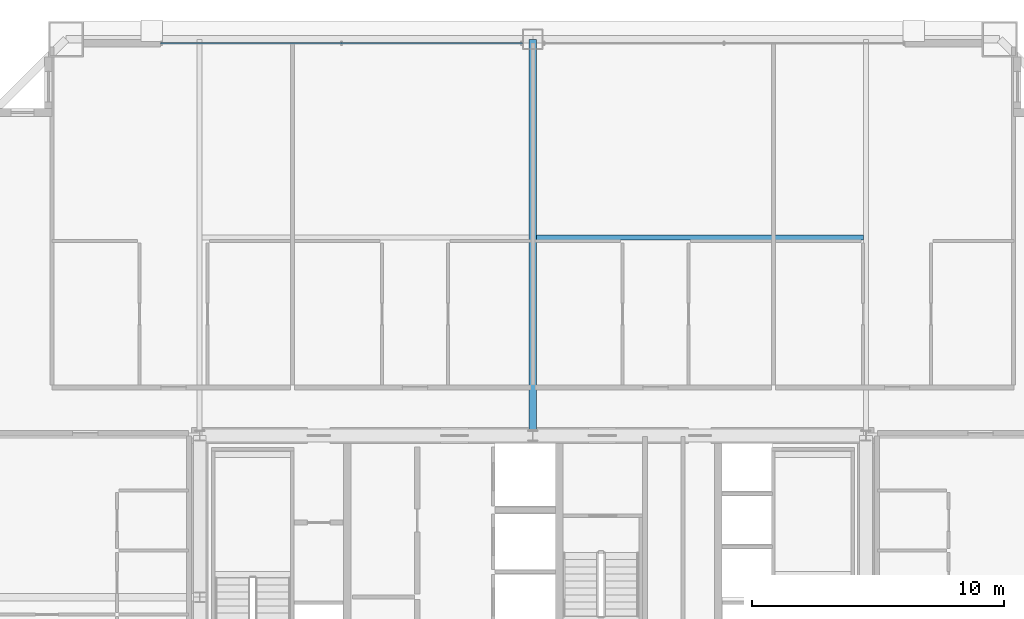
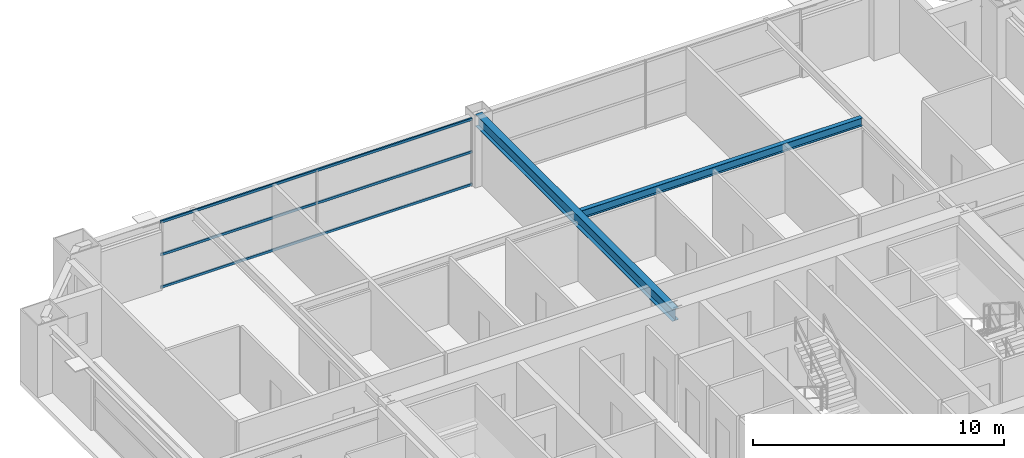
# One storey, part 28 of 38: 3 members, 2 beams, 1 element without a shape of its own.
"""IFC4 building model written with IfcOpenShell, lengths in metres."""

from ifc_helpers import new_model, si_unit, direction, frame, origin, origin_2d, place, context, subcontext, project, spatial, hollow_rectangle, i_section, extrude, source, transform, mapped, material, layer, layer_set, material_profile, profile_set, type_object, element, aggregate, save


model = new_model("IFC4")

# Units and contexts
model_context = context("Model", 3, precision=1e-05, world=origin(), true_north=direction((0.0, 1.0)))
body_context = subcontext(model_context, "Body", "Model", "MODEL_VIEW")
ifc_project = project(units=[si_unit("LENGTHUNIT", "METRE"), si_unit("AREAUNIT", "SQUARE_METRE"), si_unit("VOLUMEUNIT", "CUBIC_METRE"), si_unit("PLANEANGLEUNIT", "RADIAN"), si_unit("MASSUNIT", "GRAM", prefix="KILO"), si_unit("THERMODYNAMICTEMPERATUREUNIT", "KELVIN"), si_unit("POWERUNIT", "WATT")], contexts=[model_context])

# Site, building, storey
site_placement = place(None, origin())
site = spatial("IfcSite", under=ifc_project, at=site_placement, CompositionType="ELEMENT")
building_placement = place(site_placement, origin())
building = spatial("IfcBuilding", under=site, at=building_placement, Name="Yuzanri Waterfront Tower", CompositionType="ELEMENT")
storey_placement = place(building_placement, frame((0.0, 0.0, 188.0)))
storey = spatial("IfcBuildingStorey", under=building, at=storey_placement, Name="L49", CompositionType="ELEMENT", Elevation=188.0)

# Beams
ifc_material_1 = material(Name="Steel Q355B", Category="steel")
ifc_material_profile_1 = material_profile(ifc_material_1, i_section(OverallWidth=0.199951171875, OverallDepth=0.39990234375, WebThickness=0.008056640625, FlangeThickness=0.012939453125, at=origin_2d()), Name="HN 400x200x8x13")
ifc_profile_set_1 = profile_set([ifc_material_profile_1], Name="Steel Q355B")
beam_type_1 = type_object("IfcBeamType", Name="Floor Joist Q355B HN 400x200", PredefinedType="JOIST", material=ifc_profile_set_1)
shared_shape_1 = source(origin(), body_context, "Body", "SweptSolid", [
    extrude(i_section(OverallWidth=0.199951171875, OverallDepth=0.39990234375, WebThickness=0.008056640625, FlangeThickness=0.012939453125, at=origin_2d()), origin(), (0.0, 0.0, 1.0), 12.9501953125),
])
beam_1_placement = place(storey_placement, frame((37.14990234375, 40.050048828125, 3.080078125), z_axis=(1.0, 0.0, 0.0), x_axis=(0.0, 1.0, 0.0)))
element("IfcBeam", 1, at=beam_1_placement, inside=storey, type_object=beam_type_1, Name="L49 North Bay Joist E", PredefinedType="JOIST", context=body_context, shape_type="MappedRepresentation", body=[
    mapped(shared_shape_1, transform((0.0, 0.0, 0.0), scale=1.0)),
])
ifc_material_2 = material(Name="Steel Q355B", Category="steel")
ifc_material_profile_2 = material_profile(ifc_material_2, i_section(OverallWidth=0.300048828125, OverallDepth=0.587890625, WebThickness=0.011962890625, FlangeThickness=0.02001953125, at=origin_2d()), Name="HM 588x300x12x20")
ifc_profile_set_2 = profile_set([ifc_material_profile_2], Name="Steel Q355B")
beam_type_2 = type_object("IfcBeamType", Name="Primary Floor Girder Q355B HM 588x300", PredefinedType="BEAM", material=ifc_profile_set_2)
shared_shape_2 = source(origin(), body_context, "Body", "SweptSolid", [
    extrude(i_section(OverallWidth=0.300048828125, OverallDepth=0.587890625, WebThickness=0.011962890625, FlangeThickness=0.02001953125, at=origin_2d()), origin(), (0.0, 0.0, 1.0), 15.699951171875),
])
beam_2_placement = place(storey_placement, frame((37.0, 32.199951171875, 2.986083984375), z_axis=(0.0, 1.0, 0.0), x_axis=(-1.0, 0.0, 0.0)))
element("IfcBeam", 2, at=beam_2_placement, inside=storey, type_object=beam_type_2, Name="L49 North Grid Girder", PredefinedType="BEAM", context=body_context, shape_type="MappedRepresentation", body=[
    mapped(shared_shape_2, transform((0.0, 0.0, 0.0), scale=1.0)),
])

# Curtain wall, members
ifc_material_3 = material(Name="Anodized Architectural Bronze", Category="metal")
ifc_layer = layer(ifc_material_3, 0.159912109375)
ifc_layer_set = layer_set([ifc_layer], Name="Anodized Architectural Bronze")
curtain_wall_type = type_object("IfcCurtainWallType", Name="Anodized Bronze Mid-Rise Residential Acoustic Unitized Curtain Wall 7200", PredefinedType="NOTDEFINED", material=ifc_layer_set)
curtain_wall_placement = place(storey_placement, origin())
curtain_wall = element("IfcCurtainWall", 3, at=curtain_wall_placement, inside=storey, type_object=curtain_wall_type, Name="L49 Curtain Wall CW-L49-NL", PredefinedType="NOTDEFINED")
ifc_material_4 = material(Name="Anodized Architectural Bronze", Category="metal")
ifc_material_profile_3 = material_profile(ifc_material_4, hollow_rectangle(XDim=0.06494140625, YDim=0.1201171875, WallThickness=0.00341796875, at=origin_2d()), Name="CWT 65x120")
ifc_profile_set_3 = profile_set([ifc_material_profile_3], Name="Anodized Architectural Bronze")
member_type = type_object("IfcMemberType", Name="Anodized Bronze Secondary Curtain-Wall Transom 65x120", PredefinedType="USERDEFINED", material=ifc_profile_set_3)
shared_shape_3 = source(origin(), body_context, "Body", "SweptSolid", [
    extrude(hollow_rectangle(XDim=0.06494140625, YDim=0.1201171875, WallThickness=0.00341796875, at=origin_2d()), origin(), (0.0, 0.0, 1.0), 14.35009765625),
])
member_1_placement = place(storey_placement, frame((22.25, 47.75, 0.050048828125), z_axis=(1.0, 0.0, 0.0), x_axis=(0.0, 1.0, 0.0)))
member_1 = element("IfcMember", 4, at=member_1_placement, type_object=member_type, Name="CW-L49-NL Transom 1", ObjectType="TRANSOM", PredefinedType="USERDEFINED", context=body_context, shape_type="MappedRepresentation", body=[
    mapped(shared_shape_3, transform((0.0, 0.0, 0.0), scale=1.0)),
])
member_2_placement = place(storey_placement, frame((22.25, 47.75, 1.639892578125), z_axis=(1.0, 0.0, 0.0), x_axis=(0.0, 1.0, 0.0)))
member_2 = element("IfcMember", 5, at=member_2_placement, type_object=member_type, Name="CW-L49-NL Transom 2", ObjectType="TRANSOM", PredefinedType="USERDEFINED", context=body_context, shape_type="MappedRepresentation", body=[
    mapped(shared_shape_3, transform((0.0, 0.0, 0.0), scale=1.0)),
])
member_3_placement = place(storey_placement, frame((22.25, 47.75, 3.22998046875), z_axis=(1.0, 0.0, 0.0), x_axis=(0.0, 1.0, 0.0)))
member_3 = element("IfcMember", 6, at=member_3_placement, type_object=member_type, Name="CW-L49-NL Transom 3", ObjectType="TRANSOM", PredefinedType="USERDEFINED", context=body_context, shape_type="MappedRepresentation", body=[
    mapped(shared_shape_3, transform((0.0, 0.0, 0.0), scale=1.0)),
])
aggregate(curtain_wall, [member_1, member_2, member_3])

save(model, "model.ifc")
